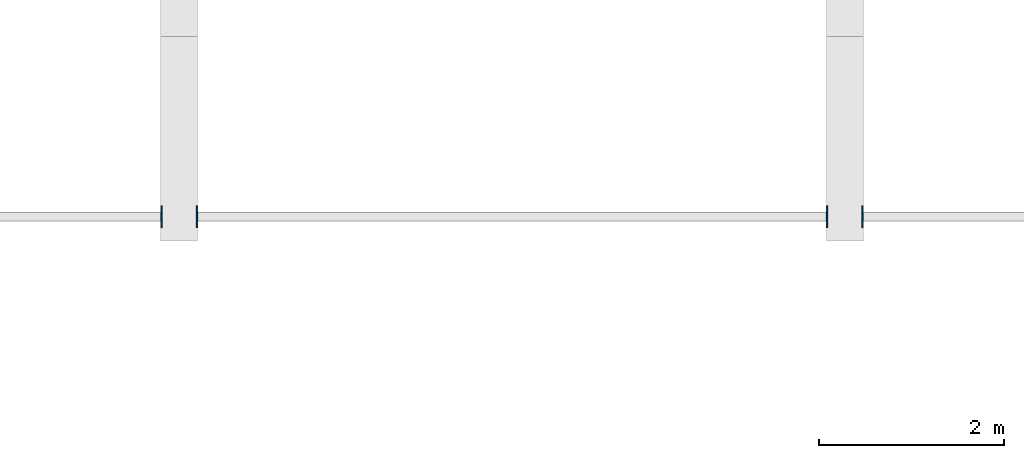
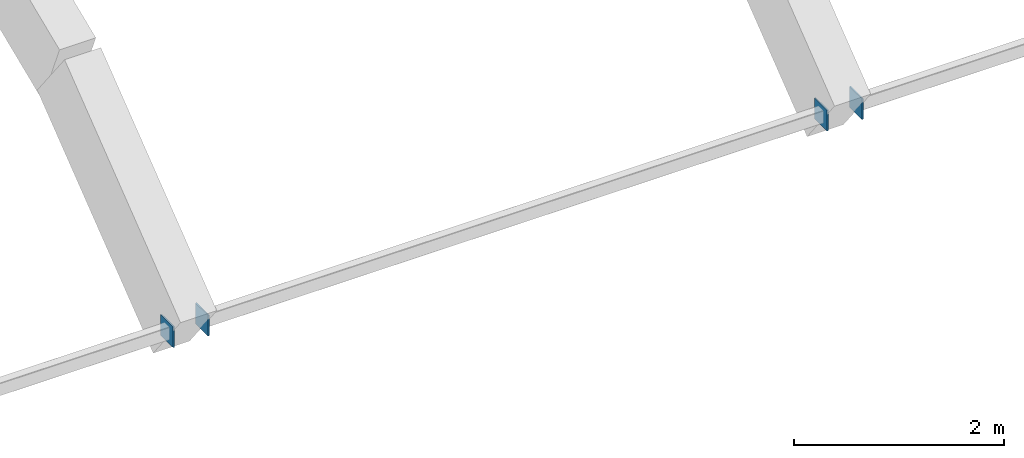
# One storey, part 27 of 64: 4 plates.
"""IFC4 building model written with IfcOpenShell, lengths in metres."""

from ifc_helpers import new_model, si_unit, direction, frame, origin, origin_2d, place, context, subcontext, project, spatial, rectangle, extrude, material, layer, layer_set, type_object, element, save


model = new_model("IFC4")

# Units and contexts
model_context = context("Model", 3, precision=1e-05, world=origin(), true_north=direction((0.0, 1.0)))
body_context = subcontext(model_context, "Body", "Model", "MODEL_VIEW")
ifc_project = project(units=[si_unit("LENGTHUNIT", "METRE"), si_unit("AREAUNIT", "SQUARE_METRE"), si_unit("VOLUMEUNIT", "CUBIC_METRE"), si_unit("PLANEANGLEUNIT", "RADIAN"), si_unit("MASSUNIT", "GRAM", prefix="KILO")], contexts=[model_context])

# Site, building, storey
site_placement = place(None, origin())
site = spatial("IfcSite", under=ifc_project, at=site_placement, CompositionType="ELEMENT")
building_placement = place(site_placement, origin())
building = spatial("IfcBuilding", under=site, at=building_placement, Name="Ochrevale Crest", CompositionType="ELEMENT")
storey_placement = place(building_placement, frame((0.0, 0.0, 8.699951171875)))
storey = spatial("IfcBuildingStorey", under=building, at=storey_placement, Name="L02", CompositionType="ELEMENT", Elevation=8.699951171875)

# Plates
ifc_material = material(Name="Steel S355", Category="steel")
ifc_layer = layer(ifc_material, 0.01611328125)
ifc_layer_set = layer_set([ifc_layer], Name="Steel S355")
plate_type = type_object("IfcPlateType", Name="PLT-CAP-16", PredefinedType="USERDEFINED", material=ifc_layer_set)
for number, where, z_axis, x_axis, name in (
    (1, (86.2080078125, 46.42626953125, 0.77294921875), (0.0, 0.0, 1.0), (1.0, 0.0, 0.0), "Vault longitudinal steel purlin B4-2 welded end cap plate CE"),
    (2, (86.592041015625, 46.42626953125, 0.77294921875), (0.0, 0.0, 1.0), (1.0, 0.0, 0.0), "Vault longitudinal steel purlin B5-2 welded end cap plate CS"),
    (3, (93.407958984375, 46.42626953125, 0.77294921875), (0.0, 0.0, 1.0), (1.0, 0.0, 0.0), "Vault longitudinal steel purlin B5-2 welded end cap plate CE"),
    (4, (93.7919921875, 46.42626953125, 0.77294921875), (0.0, 0.0, 1.0), (1.0, 0.0, 0.0), "Vault longitudinal steel purlin B6-2 welded end cap plate CS"),
):
    element("IfcPlate", number, at=place(storey_placement, frame(where, z_axis=z_axis, x_axis=x_axis)), inside=storey, type_object=plate_type, Name=name, ObjectType="CAP PLATE", PredefinedType="USERDEFINED", context=body_context, shape_type="SweptSolid", body=[
        extrude(rectangle(XDim=0.01611328125, YDim=0.239990234375, at=origin_2d()), origin(), (0.0, 0.0, 1.0), 0.239990234375),
    ])

save(model, "model.ifc")
